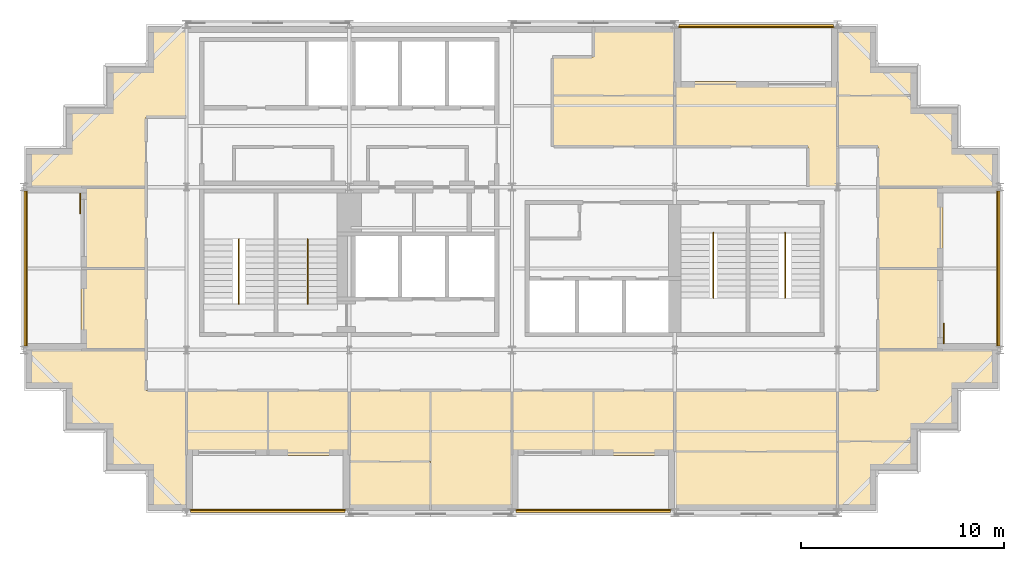
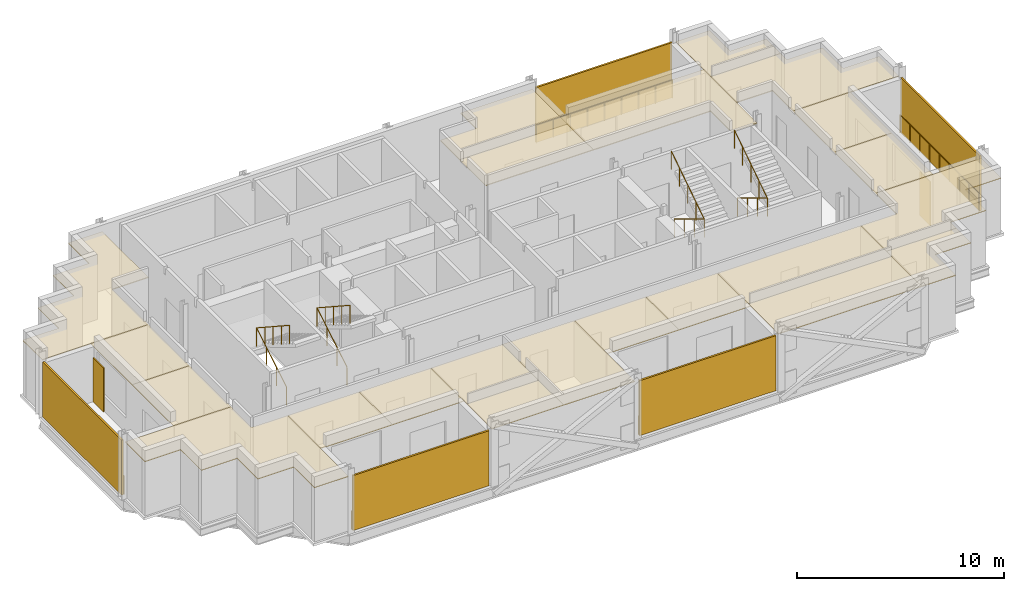
# One storey, part 9 of 9: 22 coverings, 9 railings, 7 shading devices.
"""IFC4 building model written with IfcOpenShell, lengths in metres."""

from ifc_helpers import new_model, si_unit, direction, frame, origin, origin_2d, place, context, subcontext, project, spatial, polyline, rectangle, circle, outline, extrude, material, layer, layer_set, type_object, element, save


model = new_model("IFC4")

# Units and contexts
model_context = context("Model", 3, precision=1e-05, world=origin(), true_north=direction((0.0, 1.0)))
body_context = subcontext(model_context, "Body", "Model", "MODEL_VIEW")
ifc_project = project(units=[si_unit("LENGTHUNIT", "METRE"), si_unit("AREAUNIT", "SQUARE_METRE"), si_unit("VOLUMEUNIT", "CUBIC_METRE"), si_unit("PLANEANGLEUNIT", "RADIAN"), si_unit("MASSUNIT", "GRAM", prefix="KILO")], contexts=[model_context])

# Site, building, storey
site_placement = place(None, origin())
site = spatial("IfcSite", under=ifc_project, at=site_placement, CompositionType="ELEMENT")
building_placement = place(site_placement, origin())
building = spatial("IfcBuilding", under=site, at=building_placement, Name="Immortelle Media Tower", CompositionType="ELEMENT")
storey_placement = place(building_placement, frame((0.0, 0.0, 287.0)))
storey = spatial("IfcBuildingStorey", under=building, at=storey_placement, Name="L63", CompositionType="ELEMENT", Elevation=287.0)

# Railings
ifc_material_1 = material(Name="Powder-coated aluminium fretwork panel, laminated glass backing", Category="aluminium")
railing_type_1 = type_object("IfcRailingType", Name="Fretwork balustrade 1100", PredefinedType="BALUSTRADE", material=ifc_material_1)
railing_1_placement = place(storey_placement, frame((8.1865234375, 0.139892578125, 0.0)))
element("IfcRailing", 1, at=railing_1_placement, inside=storey, type_object=railing_type_1, Name="Fretwork balustrade L63 S0", PredefinedType="BALUSTRADE", context=body_context, shape_type="SweptSolid", body=[
    extrude(circle(Radius=0.02490234375, at=origin_2d()), frame((0.0, 0.0, 1.0751953125), z_axis=(1.0, 0.0, 0.0), x_axis=(0.0, 1.0, 0.0)), (0.0, 0.0, 1.0), 7.614013671875),
    extrude(circle(Radius=0.02001953125, at=origin_2d()), origin(), (0.0, 0.0, 1.0), 1.050048828125),
    extrude(circle(Radius=0.02001953125, at=origin_2d()), frame((0.95166015625, 0.0, 0.0)), (0.0, 0.0, 1.0), 1.050048828125),
    extrude(circle(Radius=0.02001953125, at=origin_2d()), frame((1.903564453125, 0.0, 0.0)), (0.0, 0.0, 1.0), 1.050048828125),
    extrude(circle(Radius=0.02001953125, at=origin_2d()), frame((2.855224609375, 0.0, 0.0)), (0.0, 0.0, 1.0), 1.050048828125),
    extrude(circle(Radius=0.02001953125, at=origin_2d()), frame((3.80712890625, 0.0, 0.0)), (0.0, 0.0, 1.0), 1.050048828125),
    extrude(circle(Radius=0.02001953125, at=origin_2d()), frame((4.7587890625, 0.0, 0.0)), (0.0, 0.0, 1.0), 1.050048828125),
    extrude(circle(Radius=0.02001953125, at=origin_2d()), frame((5.71044921875, 0.0, 0.0)), (0.0, 0.0, 1.0), 1.050048828125),
    extrude(circle(Radius=0.02001953125, at=origin_2d()), frame((6.662353515625, 0.0, 0.0)), (0.0, 0.0, 1.0), 1.050048828125),
    extrude(circle(Radius=0.02001953125, at=origin_2d()), frame((7.614013671875, 0.0, 0.0)), (0.0, 0.0, 1.0), 1.050048828125),
])
railing_2_placement = place(storey_placement, frame((24.199462890625, 0.139892578125, 0.0)))
element("IfcRailing", 2, at=railing_2_placement, inside=storey, type_object=railing_type_1, Name="Fretwork balustrade L63 S2", PredefinedType="BALUSTRADE", context=body_context, shape_type="SweptSolid", body=[
    extrude(circle(Radius=0.02490234375, at=origin_2d()), frame((0.0, 0.0, 1.0751953125), z_axis=(1.0, 0.0, 0.0), x_axis=(0.0, 1.0, 0.0)), (0.0, 0.0, 1.0), 7.60107421875),
    extrude(circle(Radius=0.02001953125, at=origin_2d()), origin(), (0.0, 0.0, 1.0), 1.050048828125),
    extrude(circle(Radius=0.02001953125, at=origin_2d()), frame((0.9501953125, 0.0, 0.0)), (0.0, 0.0, 1.0), 1.050048828125),
    extrude(circle(Radius=0.02001953125, at=origin_2d()), frame((1.900390625, 0.0, 0.0)), (0.0, 0.0, 1.0), 1.050048828125),
    extrude(circle(Radius=0.02001953125, at=origin_2d()), frame((2.850341796875, 0.0, 0.0)), (0.0, 0.0, 1.0), 1.050048828125),
    extrude(circle(Radius=0.02001953125, at=origin_2d()), frame((3.800537109375, 0.0, 0.0)), (0.0, 0.0, 1.0), 1.050048828125),
    extrude(circle(Radius=0.02001953125, at=origin_2d()), frame((4.750732421875, 0.0, 0.0)), (0.0, 0.0, 1.0), 1.050048828125),
    extrude(circle(Radius=0.02001953125, at=origin_2d()), frame((5.70068359375, 0.0, 0.0)), (0.0, 0.0, 1.0), 1.050048828125),
    extrude(circle(Radius=0.02001953125, at=origin_2d()), frame((6.65087890625, 0.0, 0.0)), (0.0, 0.0, 1.0), 1.050048828125),
    extrude(circle(Radius=0.02001953125, at=origin_2d()), frame((7.60107421875, 0.0, 0.0)), (0.0, 0.0, 1.0), 1.050048828125),
])
railing_3_placement = place(storey_placement, frame((47.860107421875, 8.18408203125, 0.0)))
element("IfcRailing", 3, at=railing_3_placement, inside=storey, type_object=railing_type_1, Name="Fretwork balustrade L63 E0", PredefinedType="BALUSTRADE", context=body_context, shape_type="SweptSolid", body=[
    extrude(circle(Radius=0.02490234375, at=origin_2d()), frame((0.0, 0.0, 1.0751953125), z_axis=(0.0, 1.0, 0.0), x_axis=(-1.0, 0.0, 0.0)), (0.0, 0.0, 1.0), 7.6318359375),
    extrude(circle(Radius=0.02001953125, at=origin_2d()), origin(), (0.0, 0.0, 1.0), 1.050048828125),
    extrude(circle(Radius=0.02001953125, at=origin_2d()), frame((0.0, 0.9541015625, 0.0)), (0.0, 0.0, 1.0), 1.050048828125),
    extrude(circle(Radius=0.02001953125, at=origin_2d()), frame((0.0, 1.907958984375, 0.0)), (0.0, 0.0, 1.0), 1.050048828125),
    extrude(circle(Radius=0.02001953125, at=origin_2d()), frame((0.0, 2.86181640625, 0.0)), (0.0, 0.0, 1.0), 1.050048828125),
    extrude(circle(Radius=0.02001953125, at=origin_2d()), frame((0.0, 3.81591796875, 0.0)), (0.0, 0.0, 1.0), 1.050048828125),
    extrude(circle(Radius=0.02001953125, at=origin_2d()), frame((0.0, 4.77001953125, 0.0)), (0.0, 0.0, 1.0), 1.050048828125),
    extrude(circle(Radius=0.02001953125, at=origin_2d()), frame((0.0, 5.723876953125, 0.0)), (0.0, 0.0, 1.0), 1.050048828125),
    extrude(circle(Radius=0.02001953125, at=origin_2d()), frame((0.0, 6.677734375, 0.0)), (0.0, 0.0, 1.0), 1.050048828125),
    extrude(circle(Radius=0.02001953125, at=origin_2d()), frame((0.0, 7.6318359375, 0.0)), (0.0, 0.0, 1.0), 1.050048828125),
])
railing_4_placement = place(storey_placement, frame((39.8134765625, 23.860107421875, 0.0)))
element("IfcRailing", 4, at=railing_4_placement, inside=storey, type_object=railing_type_1, Name="Fretwork balustrade L63 N0", PredefinedType="BALUSTRADE", context=body_context, shape_type="SweptSolid", body=[
    extrude(circle(Radius=0.02490234375, at=origin_2d()), frame((0.0, 0.0, 1.0751953125), z_axis=(-1.0, 0.0, 0.0), x_axis=(0.0, -1.0, 0.0)), (0.0, 0.0, 1.0), 7.614013671875),
    extrude(circle(Radius=0.02001953125, at=origin_2d()), origin(), (0.0, 0.0, 1.0), 1.050048828125),
    extrude(circle(Radius=0.02001953125, at=origin_2d()), frame((-0.95166015625, 0.0, 0.0)), (0.0, 0.0, 1.0), 1.050048828125),
    extrude(circle(Radius=0.02001953125, at=origin_2d()), frame((-1.903564453125, 0.0, 0.0)), (0.0, 0.0, 1.0), 1.050048828125),
    extrude(circle(Radius=0.02001953125, at=origin_2d()), frame((-2.855224609375, 0.0, 0.0)), (0.0, 0.0, 1.0), 1.050048828125),
    extrude(circle(Radius=0.02001953125, at=origin_2d()), frame((-3.80712890625, 0.0, 0.0)), (0.0, 0.0, 1.0), 1.050048828125),
    extrude(circle(Radius=0.02001953125, at=origin_2d()), frame((-4.7587890625, 0.0, 0.0)), (0.0, 0.0, 1.0), 1.050048828125),
    extrude(circle(Radius=0.02001953125, at=origin_2d()), frame((-5.71044921875, 0.0, 0.0)), (0.0, 0.0, 1.0), 1.050048828125),
    extrude(circle(Radius=0.02001953125, at=origin_2d()), frame((-6.662353515625, 0.0, 0.0)), (0.0, 0.0, 1.0), 1.050048828125),
    extrude(circle(Radius=0.02001953125, at=origin_2d()), frame((-7.614013671875, 0.0, 0.0)), (0.0, 0.0, 1.0), 1.050048828125),
])
railing_5_placement = place(storey_placement, frame((0.139892578125, 15.81591796875, 0.0)))
element("IfcRailing", 5, at=railing_5_placement, inside=storey, type_object=railing_type_1, Name="Fretwork balustrade L63 W0", PredefinedType="BALUSTRADE", context=body_context, shape_type="SweptSolid", body=[
    extrude(circle(Radius=0.02490234375, at=origin_2d()), frame((0.0, 0.0, 1.0751953125), z_axis=(0.0, -1.0, 0.0), x_axis=(1.0, 0.0, 0.0)), (0.0, 0.0, 1.0), 7.6318359375),
    extrude(circle(Radius=0.02001953125, at=origin_2d()), origin(), (0.0, 0.0, 1.0), 1.050048828125),
    extrude(circle(Radius=0.02001953125, at=origin_2d()), frame((0.0, -0.9541015625, 0.0)), (0.0, 0.0, 1.0), 1.050048828125),
    extrude(circle(Radius=0.02001953125, at=origin_2d()), frame((0.0, -1.907958984375, 0.0)), (0.0, 0.0, 1.0), 1.050048828125),
    extrude(circle(Radius=0.02001953125, at=origin_2d()), frame((0.0, -2.86181640625, 0.0)), (0.0, 0.0, 1.0), 1.050048828125),
    extrude(circle(Radius=0.02001953125, at=origin_2d()), frame((0.0, -3.81591796875, 0.0)), (0.0, 0.0, 1.0), 1.050048828125),
    extrude(circle(Radius=0.02001953125, at=origin_2d()), frame((0.0, -4.77001953125, 0.0)), (0.0, 0.0, 1.0), 1.050048828125),
    extrude(circle(Radius=0.02001953125, at=origin_2d()), frame((0.0, -5.723876953125, 0.0)), (0.0, 0.0, 1.0), 1.050048828125),
    extrude(circle(Radius=0.02001953125, at=origin_2d()), frame((0.0, -6.677734375, 0.0)), (0.0, 0.0, 1.0), 1.050048828125),
    extrude(circle(Radius=0.02001953125, at=origin_2d()), frame((0.0, -7.6318359375, 0.0)), (0.0, 0.0, 1.0), 1.050048828125),
])

# Shading devices
ifc_material_2 = material(Name="Pale aluminium louvre blades", Category="aluminium")
ifc_layer_1 = layer(ifc_material_2, 0.10009765625)
ifc_layer_set_1 = layer_set([ifc_layer_1], Name="Pale aluminium louvre blades")
shading_device_type_1 = type_object("IfcShadingDeviceType", Name="Jalousie screen 100", PredefinedType="JALOUSIE", material=ifc_layer_set_1)
shading_device_1_placement = place(storey_placement, frame((11.993408203125, 0.050048828125, 0.0), z_axis=(0.0, 0.0, 1.0), x_axis=(1.0, 0.0, 0.0)))
element("IfcShadingDevice", 6, at=shading_device_1_placement, inside=storey, type_object=shading_device_type_1, Name="Jalousie screen L63 S0", PredefinedType="JALOUSIE", context=body_context, shape_type="SweptSolid", body=[
    extrude(rectangle(XDim=7.614013671875, YDim=0.10009765625, at=origin_2d()), origin(), (0.0, 0.0, 1.0), 3.248046875),
])
shading_device_2_placement = place(storey_placement, frame((28.0, 0.050048828125, 0.0), z_axis=(0.0, 0.0, 1.0), x_axis=(1.0, 0.0, 0.0)))
element("IfcShadingDevice", 7, at=shading_device_2_placement, inside=storey, type_object=shading_device_type_1, Name="Jalousie screen L63 S2", PredefinedType="JALOUSIE", context=body_context, shape_type="SweptSolid", body=[
    extrude(rectangle(XDim=7.60107421875, YDim=0.10009765625, at=origin_2d()), origin(), (0.0, 0.0, 1.0), 3.248046875),
])
shading_device_3_placement = place(storey_placement, frame((47.949951171875, 12.0, 0.0), z_axis=(0.0, 0.0, 1.0), x_axis=(0.0, 1.0, 0.0)))
element("IfcShadingDevice", 8, at=shading_device_3_placement, inside=storey, type_object=shading_device_type_1, Name="Jalousie screen L63 E0", PredefinedType="JALOUSIE", context=body_context, shape_type="SweptSolid", body=[
    extrude(rectangle(XDim=7.632080078125, YDim=0.10009765625, at=origin_2d()), origin(), (0.0, 0.0, 1.0), 3.248046875),
])
shading_device_4_placement = place(storey_placement, frame((36.006591796875, 23.949951171875, 0.0), z_axis=(0.0, 0.0, 1.0), x_axis=(-1.0, 0.0, 0.0)))
element("IfcShadingDevice", 9, at=shading_device_4_placement, inside=storey, type_object=shading_device_type_1, Name="Jalousie screen L63 N0", PredefinedType="JALOUSIE", context=body_context, shape_type="SweptSolid", body=[
    extrude(rectangle(XDim=7.614013671875, YDim=0.10009765625, at=origin_2d()), origin(), (0.0, 0.0, 1.0), 3.248046875),
])
shading_device_5_placement = place(storey_placement, frame((0.050048828125, 12.0, 0.0), z_axis=(0.0, 0.0, 1.0), x_axis=(0.0, -1.0, 0.0)))
element("IfcShadingDevice", 10, at=shading_device_5_placement, inside=storey, type_object=shading_device_type_1, Name="Jalousie screen L63 W0", PredefinedType="JALOUSIE", context=body_context, shape_type="SweptSolid", body=[
    extrude(rectangle(XDim=7.632080078125, YDim=0.10009765625, at=origin_2d()), origin(), (0.0, 0.0, 1.0), 3.248046875),
])
ifc_material_3 = material(Name="Pale aluminium louvre blades in a folding frame", Category="aluminium")
ifc_layer_2 = layer(ifc_material_3, 0.050048828125)
ifc_layer_set_2 = layer_set([ifc_layer_2], Name="Pale aluminium louvre blades in a folding frame")
shading_device_type_2 = type_object("IfcShadingDeviceType", Name="Louvred loggia shutter", PredefinedType="SHUTTER", material=ifc_layer_set_2)
for number, where, z_axis, x_axis, name in (
    (11, (45.22509765625, 8.800048828125, 0.0), (0.0, 0.0, 1.0), (0.0, 1.0, 0.0), "Loggia shutter L63 E0"),
    (12, (2.77490234375, 15.199951171875, 0.0), (0.0, 0.0, 1.0), (0.0, -1.0, 0.0), "Loggia shutter L63 W0"),
):
    element("IfcShadingDevice", number, at=place(storey_placement, frame(where, z_axis=z_axis, x_axis=x_axis)), inside=storey, type_object=shading_device_type_2, Name=name, PredefinedType="SHUTTER", context=body_context, shape_type="SweptSolid", body=[
        extrude(rectangle(XDim=1.0, YDim=0.050048828125, at=origin_2d()), origin(), (0.0, 0.0, 1.0), 2.60009765625),
    ])

# Railings
ifc_material_4 = material(Name="Stainless steel AISI 316", Category="steel")
railing_type_2 = type_object("IfcRailingType", Name="Stair guard 1100", PredefinedType="GUARDRAIL", material=ifc_material_4)
for number, where, name in (
    (13, (10.574951171875, 10.5400390625, 0.173828125), "Stair guard SW1"),
    (14, (13.949951171875, 10.5400390625, 0.173828125), "Stair guard SW2"),
):
    element("IfcRailing", number, at=place(storey_placement, frame(where)), inside=storey, type_object=railing_type_2, Name=name, PredefinedType="GUARDRAIL", context=body_context, shape_type="SweptSolid", body=[
        extrude(circle(Radius=0.02392578125, at=origin_2d()), frame((0.0, 0.0, 1.076171875), z_axis=(0.0, 0.857582100076, 0.514347102285), x_axis=(-1.0, 0.0, 0.0)), (0.0, 0.0, 1.0), 3.381591796875),
        extrude(circle(Radius=0.02392578125, at=origin_2d()), frame((0.0, 2.89990234375, 2.8154296875), z_axis=(0.0, -0.836827423118, 0.547466769693), x_axis=(1.0, 0.0, 0.0)), (0.0, 0.0, 1.0), 3.81201171875),
        extrude(circle(Radius=0.02099609375, at=origin_2d()), origin(), (0.0, 0.0, 1.0), 1.052001953125),
        extrude(circle(Radius=0.02099609375, at=origin_2d()), frame((0.0, 0.966552734375, 0.579833984375)), (0.0, 0.0, 1.0), 1.052001953125),
        extrude(circle(Radius=0.02099609375, at=origin_2d()), frame((0.0, 1.933349609375, 1.159423828125)), (0.0, 0.0, 1.0), 1.052001953125),
        extrude(circle(Radius=0.02099609375, at=origin_2d()), frame((0.0, 2.89990234375, 1.7392578125)), (0.0, 0.0, 1.0), 1.052001953125),
        extrude(circle(Radius=0.02099609375, at=origin_2d()), frame((0.0, 2.1025390625, 2.260986328125)), (0.0, 0.0, 1.0), 1.052001953125),
        extrude(circle(Radius=0.02099609375, at=origin_2d()), frame((0.0, 1.304931640625, 2.78271484375)), (0.0, 0.0, 1.0), 1.052001953125),
        extrude(circle(Radius=0.02099609375, at=origin_2d()), frame((0.0, 0.50732421875, 3.304443359375)), (0.0, 0.0, 1.0), 1.052001953125),
        extrude(circle(Radius=0.02099609375, at=origin_2d()), frame((0.0, -0.2900390625, 3.826171875)), (0.0, 0.0, 1.0), 1.052001953125),
    ])
for number, where, name in (
    (15, (33.89990234375, 13.4599609375, 0.173828125), "Stair guard SE1"),
    (16, (37.425048828125, 13.4599609375, 0.173828125), "Stair guard SE2"),
):
    element("IfcRailing", number, at=place(storey_placement, frame(where)), inside=storey, type_object=railing_type_2, Name=name, PredefinedType="GUARDRAIL", context=body_context, shape_type="SweptSolid", body=[
        extrude(circle(Radius=0.02392578125, at=origin_2d()), frame((0.0, 0.0, 1.076171875), z_axis=(0.0, -0.857582100076, 0.514347102285), x_axis=(1.0, 0.0, 0.0)), (0.0, 0.0, 1.0), 3.381591796875),
        extrude(circle(Radius=0.02392578125, at=origin_2d()), frame((0.0, -2.89990234375, 2.8154296875), z_axis=(0.0, 0.836827423118, 0.547466769693), x_axis=(-1.0, 0.0, 0.0)), (0.0, 0.0, 1.0), 3.81201171875),
        extrude(circle(Radius=0.02099609375, at=origin_2d()), origin(), (0.0, 0.0, 1.0), 1.052001953125),
        extrude(circle(Radius=0.02099609375, at=origin_2d()), frame((0.0, -0.966552734375, 0.579833984375)), (0.0, 0.0, 1.0), 1.052001953125),
        extrude(circle(Radius=0.02099609375, at=origin_2d()), frame((0.0, -1.933349609375, 1.159423828125)), (0.0, 0.0, 1.0), 1.052001953125),
        extrude(circle(Radius=0.02099609375, at=origin_2d()), frame((0.0, -2.89990234375, 1.7392578125)), (0.0, 0.0, 1.0), 1.052001953125),
        extrude(circle(Radius=0.02099609375, at=origin_2d()), frame((0.0, -2.1025390625, 2.260986328125)), (0.0, 0.0, 1.0), 1.052001953125),
        extrude(circle(Radius=0.02099609375, at=origin_2d()), frame((0.0, -1.304931640625, 2.78271484375)), (0.0, 0.0, 1.0), 1.052001953125),
        extrude(circle(Radius=0.02099609375, at=origin_2d()), frame((0.0, -0.50732421875, 3.304443359375)), (0.0, 0.0, 1.0), 1.052001953125),
        extrude(circle(Radius=0.02099609375, at=origin_2d()), frame((0.0, 0.2900390625, 3.826171875)), (0.0, 0.0, 1.0), 1.052001953125),
    ])

# Coverings
ifc_material_5 = material(Name="Mineral fibre tile ceiling")
ifc_layer_3 = layer(ifc_material_5, 0.050048828125)
ifc_layer_set_3 = layer_set([ifc_layer_3], Name="Mineral fibre tile ceiling")
covering_type = type_object("IfcCoveringType", Name="Suspended ceiling 50", PredefinedType="CEILING", material=ifc_layer_set_3)
covering_1_placement = place(storey_placement, frame((0.0, 0.0, 3.18798828125)))
element("IfcCovering", 17, at=covering_1_placement, inside=storey, type_object=covering_type, Name="Ceiling L63-001", PredefinedType="CEILING", context=body_context, shape_type="SweptSolid", body=[
    extrude(outline(polyline([(16.0, 6.0), (20.0, 6.0), (20.0, 2.5), (16.0, 2.5), (16.0, 2.800048828125), (16.0, 6.0)])), origin(), (0.0, 0.0, 1.0), 0.050048828125),
])
covering_2_placement = place(storey_placement, frame((0.0, 0.0, 3.18798828125)))
element("IfcCovering", 18, at=covering_2_placement, inside=storey, type_object=covering_type, Name="Ceiling L63-002", PredefinedType="CEILING", context=body_context, shape_type="SweptSolid", body=[
    extrude(outline(polyline([(20.0, 0.10009765625), (16.0, 0.10009765625), (16.0, 2.5), (20.0, 2.5), (20.0, 0.10009765625)])), origin(), (0.0, 0.0, 1.0), 0.050048828125),
])
covering_3_placement = place(storey_placement, frame((0.0, 0.0, 3.18798828125)))
element("IfcCovering", 19, at=covering_3_placement, inside=storey, type_object=covering_type, Name="Ceiling L63-003", PredefinedType="CEILING", context=body_context, shape_type="SweptSolid", body=[
    extrude(outline(polyline([(24.0, 6.0), (24.0, 2.800048828125), (24.0, 0.10009765625), (20.0, 0.10009765625), (20.0, 6.0), (24.0, 6.0)])), origin(), (0.0, 0.0, 1.0), 0.050048828125),
])
covering_4_placement = place(storey_placement, frame((0.0, 0.0, 3.18798828125)))
element("IfcCovering", 20, at=covering_4_placement, inside=storey, type_object=covering_type, Name="Ceiling L63-004", PredefinedType="CEILING", context=body_context, shape_type="SweptSolid", body=[
    extrude(outline(polyline([(40.0, 6.0), (40.0, 3.0), (32.0, 3.0), (32.0, 6.0), (40.0, 6.0)])), origin(), (0.0, 0.0, 1.0), 0.050048828125),
])
covering_5_placement = place(storey_placement, frame((0.0, 0.0, 3.18798828125)))
element("IfcCovering", 21, at=covering_5_placement, inside=storey, type_object=covering_type, Name="Ceiling L63-005", PredefinedType="CEILING", context=body_context, shape_type="SweptSolid", body=[
    extrude(outline(polyline([(40.0, 0.10009765625), (32.0, 0.10009765625), (32.0, 2.800048828125), (32.0, 3.0), (40.0, 3.0), (40.0, 0.10009765625)])), origin(), (0.0, 0.0, 1.0), 0.050048828125),
])
covering_6_placement = place(storey_placement, frame((0.0, 0.0, 3.18798828125)))
element("IfcCovering", 22, at=covering_6_placement, inside=storey, type_object=covering_type, Name="Ceiling L63-006", PredefinedType="CEILING", context=body_context, shape_type="SweptSolid", body=[
    extrude(outline(polyline([(42.0, 8.0), (45.199951171875, 8.0), (47.89990234375, 8.0), (47.89990234375, 6.10009765625), (45.89990234375, 6.10009765625), (45.89990234375, 4.10009765625), (43.89990234375, 4.10009765625), (43.89990234375, 3.5), (40.0, 3.5), (40.0, 6.0), (42.0, 6.0), (42.0, 8.0)])), origin(), (0.0, 0.0, 1.0), 0.050048828125),
])
covering_7_placement = place(storey_placement, frame((0.0, 0.0, 3.18798828125)))
element("IfcCovering", 23, at=covering_7_placement, inside=storey, type_object=covering_type, Name="Ceiling L63-007", PredefinedType="CEILING", context=body_context, shape_type="SweptSolid", body=[
    extrude(outline(polyline([(43.89990234375, 2.10009765625), (41.89990234375, 2.10009765625), (41.89990234375, 0.10009765625), (40.0, 0.10009765625), (40.0, 3.5), (43.89990234375, 3.5), (43.89990234375, 2.10009765625)])), origin(), (0.0, 0.0, 1.0), 0.050048828125),
])
covering_8_placement = place(storey_placement, frame((0.0, 0.0, 3.18798828125)))
element("IfcCovering", 24, at=covering_8_placement, inside=storey, type_object=covering_type, Name="Ceiling L63-008", PredefinedType="CEILING", context=body_context, shape_type="SweptSolid", body=[
    extrude(outline(polyline([(8.0, 6.0), (12.0, 6.0), (12.0, 2.800048828125), (8.0, 2.800048828125), (8.0, 6.0)])), origin(), (0.0, 0.0, 1.0), 0.050048828125),
])
covering_9_placement = place(storey_placement, frame((0.0, 0.0, 3.18798828125)))
element("IfcCovering", 25, at=covering_9_placement, inside=storey, type_object=covering_type, Name="Ceiling L63-009", PredefinedType="CEILING", context=body_context, shape_type="SweptSolid", body=[
    extrude(outline(polyline([(16.0, 6.0), (16.0, 2.800048828125), (12.0, 2.800048828125), (12.0, 6.0), (16.0, 6.0)])), origin(), (0.0, 0.0, 1.0), 0.050048828125),
])
covering_10_placement = place(storey_placement, frame((0.0, 0.0, 3.18798828125)))
element("IfcCovering", 26, at=covering_10_placement, inside=storey, type_object=covering_type, Name="Ceiling L63-010", PredefinedType="CEILING", context=body_context, shape_type="SweptSolid", body=[
    extrude(outline(polyline([(24.0, 6.0), (26.0, 6.0), (28.0, 6.0), (28.0, 2.800048828125), (24.0, 2.800048828125), (24.0, 6.0)])), origin(), (0.0, 0.0, 1.0), 0.050048828125),
])
covering_11_placement = place(storey_placement, frame((0.0, 0.0, 3.18798828125)))
element("IfcCovering", 27, at=covering_11_placement, inside=storey, type_object=covering_type, Name="Ceiling L63-011", PredefinedType="CEILING", context=body_context, shape_type="SweptSolid", body=[
    extrude(outline(polyline([(32.0, 6.0), (32.0, 2.800048828125), (28.0, 2.800048828125), (28.0, 6.0), (32.0, 6.0)])), origin(), (0.0, 0.0, 1.0), 0.050048828125),
])
covering_12_placement = place(storey_placement, frame((0.0, 0.0, 3.18798828125)))
element("IfcCovering", 28, at=covering_12_placement, inside=storey, type_object=covering_type, Name="Ceiling L63-012", PredefinedType="CEILING", context=body_context, shape_type="SweptSolid", body=[
    extrude(outline(polyline([(4.10009765625, 2.10009765625), (4.10009765625, 4.10009765625), (4.0, 4.10009765625), (2.10009765625, 4.10009765625), (2.10009765625, 6.10009765625), (0.10009765625, 6.10009765625), (0.10009765625, 8.0), (2.800048828125, 8.0), (4.0, 8.0), (6.0, 8.0), (6.0, 6.0), (8.0, 6.0), (8.0, 2.800048828125), (8.0, 0.10009765625), (6.10009765625, 0.10009765625), (6.10009765625, 2.10009765625), (4.10009765625, 2.10009765625)])), origin(), (0.0, 0.0, 1.0), 0.050048828125),
])
covering_13_placement = place(storey_placement, frame((0.0, 0.0, 3.18798828125)))
element("IfcCovering", 29, at=covering_13_placement, inside=storey, type_object=covering_type, Name="Ceiling L63-013", PredefinedType="CEILING", context=body_context, shape_type="SweptSolid", body=[
    extrude(outline(polyline([(2.800048828125, 8.0), (2.800048828125, 12.0), (6.0, 12.0), (6.0, 8.0), (2.800048828125, 8.0)])), origin(), (0.0, 0.0, 1.0), 0.050048828125),
])
covering_14_placement = place(storey_placement, frame((0.0, 0.0, 3.18798828125)))
element("IfcCovering", 30, at=covering_14_placement, inside=storey, type_object=covering_type, Name="Ceiling L63-014", PredefinedType="CEILING", context=body_context, shape_type="SweptSolid", body=[
    extrude(outline(polyline([(2.800048828125, 16.0), (6.0, 16.0), (6.0, 12.0), (2.800048828125, 12.0), (2.800048828125, 16.0)])), origin(), (0.0, 0.0, 1.0), 0.050048828125),
])
covering_15_placement = place(storey_placement, frame((0.0, 0.0, 3.18798828125)))
element("IfcCovering", 31, at=covering_15_placement, inside=storey, type_object=covering_type, Name="Ceiling L63-015", PredefinedType="CEILING", context=body_context, shape_type="SweptSolid", body=[
    extrude(outline(polyline([(42.0, 8.0), (42.0, 12.0), (45.199951171875, 12.0), (45.199951171875, 8.0), (42.0, 8.0)])), origin(), (0.0, 0.0, 1.0), 0.050048828125),
])
covering_16_placement = place(storey_placement, frame((0.0, 0.0, 3.18798828125)))
element("IfcCovering", 32, at=covering_16_placement, inside=storey, type_object=covering_type, Name="Ceiling L63-016", PredefinedType="CEILING", context=body_context, shape_type="SweptSolid", body=[
    extrude(outline(polyline([(42.0, 16.0), (45.199951171875, 16.0), (45.199951171875, 12.0), (42.0, 12.0), (42.0, 16.0)])), origin(), (0.0, 0.0, 1.0), 0.050048828125),
])
covering_17_placement = place(storey_placement, frame((0.0, 0.0, 3.18798828125)))
element("IfcCovering", 33, at=covering_17_placement, inside=storey, type_object=covering_type, Name="Ceiling L63-017", PredefinedType="CEILING", context=body_context, shape_type="SweptSolid", body=[
    extrude(outline(polyline([(2.800048828125, 16.0), (0.10009765625, 16.0), (0.10009765625, 17.89990234375), (2.10009765625, 17.89990234375), (2.10009765625, 19.89990234375), (4.10009765625, 19.89990234375), (4.10009765625, 20.0), (4.10009765625, 21.89990234375), (6.10009765625, 21.89990234375), (6.10009765625, 23.89990234375), (8.0, 23.89990234375), (8.0, 20.0), (8.0, 19.449951171875), (6.0, 19.449951171875), (6.0, 16.0), (2.800048828125, 16.0)])), origin(), (0.0, 0.0, 1.0), 0.050048828125),
])
covering_18_placement = place(storey_placement, frame((0.0, 0.0, 3.18798828125)))
element("IfcCovering", 34, at=covering_18_placement, inside=storey, type_object=covering_type, Name="Ceiling L63-018", PredefinedType="CEILING", context=body_context, shape_type="SweptSolid", body=[
    extrude(outline(polyline([(45.89990234375, 17.89990234375), (47.89990234375, 17.89990234375), (47.89990234375, 16.0), (45.199951171875, 16.0), (44.0, 16.0), (42.0, 16.0), (42.0, 18.0), (40.0, 18.0), (40.0, 20.5), (43.89990234375, 20.5), (43.89990234375, 19.89990234375), (44.0, 19.89990234375), (45.89990234375, 19.89990234375), (45.89990234375, 17.89990234375)])), origin(), (0.0, 0.0, 1.0), 0.050048828125),
])
covering_19_placement = place(storey_placement, frame((0.0, 0.0, 3.18798828125)))
element("IfcCovering", 35, at=covering_19_placement, inside=storey, type_object=covering_type, Name="Ceiling L63-019", PredefinedType="CEILING", context=body_context, shape_type="SweptSolid", body=[
    extrude(outline(polyline([(40.0, 21.199951171875), (40.0, 23.89990234375), (41.89990234375, 23.89990234375), (41.89990234375, 21.89990234375), (43.89990234375, 21.89990234375), (43.89990234375, 20.5), (40.0, 20.5), (40.0, 21.199951171875)])), origin(), (0.0, 0.0, 1.0), 0.050048828125),
])
covering_20_placement = place(storey_placement, frame((0.0, 0.0, 3.18798828125)))
element("IfcCovering", 36, at=covering_20_placement, inside=storey, type_object=covering_type, Name="Ceiling L63-020", PredefinedType="CEILING", context=body_context, shape_type="SweptSolid", body=[
    extrude(outline(polyline([(38.550048828125, 16.0), (38.550048828125, 18.0), (32.0, 18.0), (32.0, 21.199951171875), (40.0, 21.199951171875), (40.0, 18.0), (40.0, 16.0), (38.550048828125, 16.0)])), origin(), (0.0, 0.0, 1.0), 0.050048828125),
])
covering_21_placement = place(storey_placement, frame((0.0, 0.0, 3.18798828125)))
element("IfcCovering", 37, at=covering_21_placement, inside=storey, type_object=covering_type, Name="Ceiling L63-021", PredefinedType="CEILING", context=body_context, shape_type="SweptSolid", body=[
    extrude(outline(polyline([(26.0, 18.0), (26.0, 19.449951171875), (26.0, 20.5), (32.0, 20.5), (32.0, 18.0), (27.0, 18.0), (26.0, 18.0)])), origin(), (0.0, 0.0, 1.0), 0.050048828125),
])
covering_22_placement = place(storey_placement, frame((0.0, 0.0, 3.18798828125)))
element("IfcCovering", 38, at=covering_22_placement, inside=storey, type_object=covering_type, Name="Ceiling L63-022", PredefinedType="CEILING", context=body_context, shape_type="SweptSolid", body=[
    extrude(outline(polyline([(26.0, 22.39990234375), (28.0, 22.39990234375), (28.0, 23.89990234375), (32.0, 23.89990234375), (32.0, 21.199951171875), (32.0, 20.5), (26.0, 20.5), (26.0, 22.39990234375)])), origin(), (0.0, 0.0, 1.0), 0.050048828125),
])

save(model, "model.ifc")
